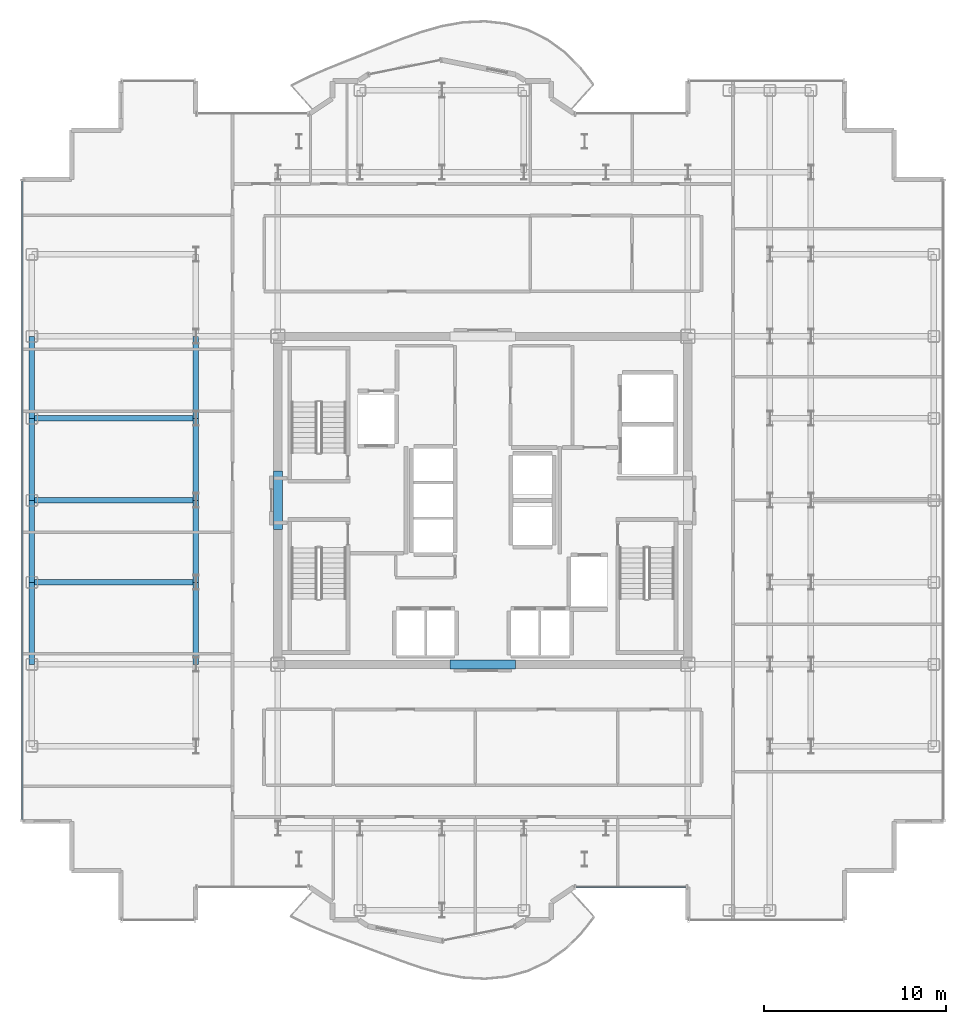
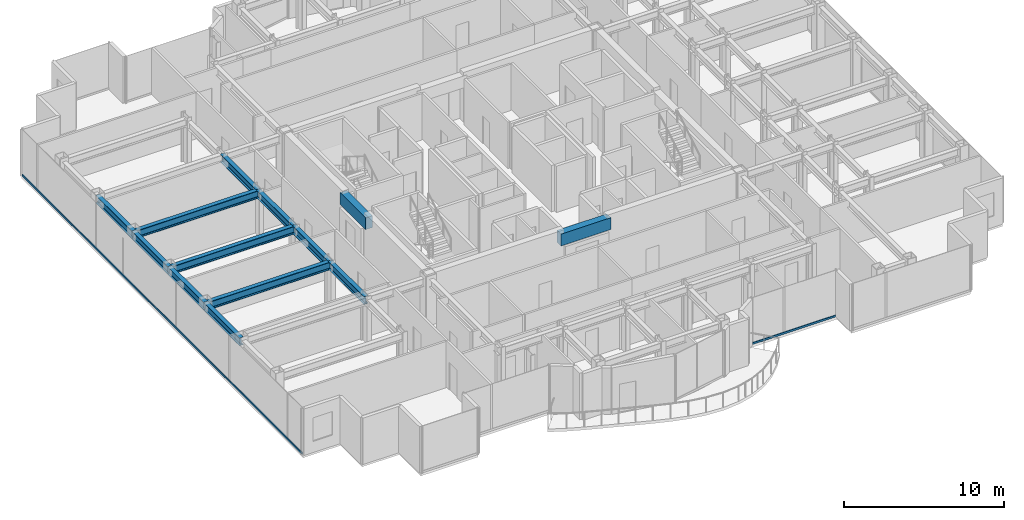
# One storey, part 4 of 21: 13 beams, 2 members, 2 elements without a shape of their own.
"""IFC4 building model written with IfcOpenShell, lengths in metres."""

from ifc_helpers import new_model, si_unit, direction, frame, origin, origin_2d, place, context, subcontext, project, spatial, rectangle, hollow_rectangle, i_section, extrude, source, transform, mapped, material, layer, layer_set, material_profile, profile_set, type_object, element, aggregate, save


model = new_model("IFC4")

# Units and contexts
model_context = context("Model", 3, precision=1e-05, world=origin(), true_north=direction((0.0, 1.0)))
body_context = subcontext(model_context, "Body", "Model", "MODEL_VIEW")
ifc_project = project(units=[si_unit("LENGTHUNIT", "METRE"), si_unit("AREAUNIT", "SQUARE_METRE"), si_unit("VOLUMEUNIT", "CUBIC_METRE"), si_unit("PLANEANGLEUNIT", "RADIAN"), si_unit("MASSUNIT", "GRAM", prefix="KILO")], contexts=[model_context])

# Site, building, storey
site_placement = place(None, origin())
site = spatial("IfcSite", under=ifc_project, at=site_placement, CompositionType="ELEMENT")
building_placement = place(site_placement, origin())
building = spatial("IfcBuilding", under=site, at=building_placement, Name="Nefas-Gora Pilgrimage Tower", CompositionType="ELEMENT")
storey_placement = place(building_placement, frame((0.0, 0.0, 210.39990234375)))
storey = spatial("IfcBuildingStorey", under=building, at=storey_placement, Name="L52", CompositionType="ELEMENT", Elevation=210.39990234375)

# Beams
ifc_material_1 = material(Name="Concrete C50/60", Category="concrete")
ifc_material_profile_1 = material_profile(ifc_material_1, rectangle(XDim=0.5, YDim=0.89990234375, at=origin_2d()), Name="RC 500x900")
ifc_profile_set_1 = profile_set([ifc_material_profile_1], Name="Concrete C50/60")
beam_type_1 = type_object("IfcBeamType", Name="BM-LIN-RC900", PredefinedType="LINTEL", material=ifc_profile_set_1)
shared_shape_1 = source(origin(), body_context, "Body", "SweptSolid", [
    extrude(rectangle(XDim=0.5, YDim=0.89990234375, at=origin_2d()), origin(), (0.0, 0.0, 1.0), 3.60009765625),
])
beam_1_placement = place(storey_placement, frame((-1.800048828125, -9.0, 3.10009765625), z_axis=(1.0, 0.0, 0.0), x_axis=(0.0, 1.0, 0.0)))
element("IfcBeam", 1, at=beam_1_placement, inside=storey, type_object=beam_type_1, Name="L52 Core Coupling Lintel Beam S", PredefinedType="LINTEL", context=body_context, shape_type="MappedRepresentation", body=[
    mapped(shared_shape_1, transform((0.0, 0.0, 0.0), x_axis=(1.0, 0.0, 0.0), y_axis=(0.0, 1.0, 0.0), z_axis=(0.0, 0.0, 1.0), scale=1.0)),
])
shared_shape_2 = source(origin(), body_context, "Body", "SweptSolid", [
    extrude(rectangle(XDim=0.5, YDim=0.89990234375, at=origin_2d()), origin(), (0.0, 0.0, 1.0), 3.2001953125),
])
beam_2_placement = place(storey_placement, frame((-11.25, -1.60009765625, 3.10009765625), z_axis=(0.0, 1.0, 0.0), x_axis=(-1.0, 0.0, 0.0)))
element("IfcBeam", 2, at=beam_2_placement, inside=storey, type_object=beam_type_1, Name="L52 Core Coupling Lintel Beam W", PredefinedType="LINTEL", context=body_context, shape_type="MappedRepresentation", body=[
    mapped(shared_shape_2, transform((0.0, 0.0, 0.0), x_axis=(1.0, 0.0, 0.0), y_axis=(0.0, 1.0, 0.0), z_axis=(0.0, 0.0, 1.0), scale=1.0)),
])
ifc_material_2 = material(Name="Steel S355", Category="steel")
ifc_material_profile_2 = material_profile(ifc_material_2, i_section(OverallWidth=0.300048828125, OverallDepth=0.60009765625, WebThickness=0.015380859375, FlangeThickness=0.030029296875, FilletRadius=0.027099609375, at=origin_2d()), Name="HEB 600")
ifc_profile_set_2 = profile_set([ifc_material_profile_2], Name="Steel S355")
beam_type_2 = type_object("IfcBeamType", Name="BM-SPN-HEB450", PredefinedType="SPANDREL", material=ifc_profile_set_2)
shared_shape_3 = source(origin(), body_context, "Body", "SweptSolid", [
    extrude(i_section(OverallWidth=0.300048828125, OverallDepth=0.60009765625, WebThickness=0.015380859375, FlangeThickness=0.030029296875, FilletRadius=0.027099609375, at=origin_2d()), origin(), (0.0, 0.0, 1.0), 4.5),
])
for number, where, z_axis, x_axis, name in (
    (3, (-24.75, -9.0, 3.25), (0.0, 1.0, 0.0), (-1.0, 0.0, 0.0), "L52 SP-03 beam"),
    (4, (-24.75, -4.5, 3.25), (0.0, 1.0, 0.0), (-1.0, 0.0, 0.0), "L52 SP-03 beam"),
    (5, (-24.75, 0.0, 3.25), (0.0, 1.0, 0.0), (-1.0, 0.0, 0.0), "L52 SP-03 beam"),
    (6, (-24.75, 4.5, 3.25), (0.0, 1.0, 0.0), (-1.0, 0.0, 0.0), "L52 SP-03 beam"),
):
    element("IfcBeam", number, at=place(storey_placement, frame(where, z_axis=z_axis, x_axis=x_axis)), inside=storey, type_object=beam_type_2, Name=name, PredefinedType="SPANDREL", context=body_context, shape_type="MappedRepresentation", body=[
        mapped(shared_shape_3, transform((0.0, 0.0, 0.0), x_axis=(1.0, 0.0, 0.0), y_axis=(0.0, 1.0, 0.0), z_axis=(0.0, 0.0, 1.0), scale=1.0)),
    ])
ifc_material_profile_3 = material_profile(ifc_material_2, i_section(OverallWidth=0.300048828125, OverallDepth=0.60009765625, WebThickness=0.015380859375, FlangeThickness=0.030029296875, FilletRadius=0.027099609375, at=origin_2d()), Name="HEB 600")
ifc_profile_set_3 = profile_set([ifc_material_profile_3], Name="Steel S355")
beam_type_3 = type_object("IfcBeamType", Name="BM-GIR-HEB600", PredefinedType="BEAM", material=ifc_profile_set_3)
shared_shape_4 = source(origin(), body_context, "Body", "SweptSolid", [
    extrude(i_section(OverallWidth=0.300048828125, OverallDepth=0.60009765625, WebThickness=0.015380859375, FlangeThickness=0.030029296875, FilletRadius=0.027099609375, at=origin_2d()), origin(), (0.0, 0.0, 1.0), 9.0),
])
for number, where, z_axis, x_axis, name in (
    (7, (-24.75, -4.5, 3.25), (1.0, 0.0, 0.0), (0.0, 1.0, 0.0), "L52 G-04 beam"),
    (8, (-24.75, 0.0, 3.25), (1.0, 0.0, 0.0), (0.0, 1.0, 0.0), "L52 G-04 beam"),
    (9, (-24.75, 4.5, 3.25), (1.0, 0.0, 0.0), (0.0, 1.0, 0.0), "L52 G-04 beam"),
):
    element("IfcBeam", number, at=place(storey_placement, frame(where, z_axis=z_axis, x_axis=x_axis)), inside=storey, type_object=beam_type_3, Name=name, PredefinedType="BEAM", context=body_context, shape_type="MappedRepresentation", body=[
        mapped(shared_shape_4, transform((0.0, 0.0, 0.0), x_axis=(1.0, 0.0, 0.0), y_axis=(0.0, 1.0, 0.0), z_axis=(0.0, 0.0, 1.0), scale=1.0)),
    ])
shared_shape_5 = source(origin(), body_context, "Body", "SweptSolid", [
    extrude(i_section(OverallWidth=0.300048828125, OverallDepth=0.60009765625, WebThickness=0.015380859375, FlangeThickness=0.030029296875, FilletRadius=0.027099609375, at=origin_2d()), origin(), (0.0, 0.0, 1.0), 4.5),
])
for number, where, z_axis, x_axis, name in (
    (10, (-15.75, -9.0, 3.25), (0.0, 1.0, 0.0), (-1.0, 0.0, 0.0), "L52 G-04 beam"),
    (11, (-15.75, -4.5, 3.25), (0.0, 1.0, 0.0), (-1.0, 0.0, 0.0), "L52 G-04 beam"),
    (12, (-15.75, 0.0, 3.25), (0.0, 1.0, 0.0), (-1.0, 0.0, 0.0), "L52 G-04 beam"),
    (13, (-15.75, 4.5, 3.25), (0.0, 1.0, 0.0), (-1.0, 0.0, 0.0), "L52 G-04 beam"),
):
    element("IfcBeam", number, at=place(storey_placement, frame(where, z_axis=z_axis, x_axis=x_axis)), inside=storey, type_object=beam_type_3, Name=name, PredefinedType="BEAM", context=body_context, shape_type="MappedRepresentation", body=[
        mapped(shared_shape_5, transform((0.0, 0.0, 0.0), x_axis=(1.0, 0.0, 0.0), y_axis=(0.0, 1.0, 0.0), z_axis=(0.0, 0.0, 1.0), scale=1.0)),
    ])

# Curtain wall, member
ifc_material_3 = material(Name="Dark ceramic-fritted solar-control aluminium-glass curtain wall", Category="aluminium")
ifc_layer_1 = layer(ifc_material_3, 0.219970703125)
ifc_layer_set_1 = layer_set([ifc_layer_1], Name="Dark ceramic-fritted solar-control aluminium-glass curtain wall")
curtain_wall_type_1 = type_object("IfcCurtainWallType", Name="CW-SYS-5", PredefinedType="NOTDEFINED", material=ifc_layer_set_1)
curtain_wall_1_placement = place(storey_placement, origin())
curtain_wall_1 = element("IfcCurtainWall", 14, at=curtain_wall_1_placement, inside=storey, type_object=curtain_wall_type_1, Name="L52 Unitised Curtain Wall CW5", PredefinedType="NOTDEFINED")
ifc_material_4 = material(Name="Anodised architectural aluminium", Category="aluminium")
ifc_material_profile_4 = material_profile(ifc_material_4, hollow_rectangle(XDim=0.080078125, YDim=0.159912109375, WallThickness=0.00439453125, InnerFilletRadius=0.00439453125, OuterFilletRadius=0.009033203125, at=origin_2d()), Name="ALU TRANSOM 80x160")
ifc_profile_set_4 = profile_set([ifc_material_profile_4], Name="Anodised architectural aluminium")
member_type_1 = type_object("IfcMemberType", Name="CWM-TRN-5", PredefinedType="USERDEFINED", material=ifc_profile_set_4)
shared_shape_6 = source(origin(), body_context, "Body", "SweptSolid", [
    extrude(hollow_rectangle(XDim=0.080078125, YDim=0.159912109375, WallThickness=0.00439453125, InnerFilletRadius=0.00439453125, OuterFilletRadius=0.009033203125, at=origin_2d()), origin(), (0.0, 0.0, 1.0), 6.052001953125),
])
member_1_placement = place(storey_placement, frame((5.10791015625, -21.219970703125, 0.050048828125), z_axis=(1.0, 0.0, 0.0), x_axis=(0.0, 1.0, 0.0)))
member_1 = element("IfcMember", 15, at=member_1_placement, type_object=member_type_1, Name="CW5 Spandrel Transom", ObjectType="TRANSOM", PredefinedType="USERDEFINED", context=body_context, shape_type="MappedRepresentation", body=[
    mapped(shared_shape_6, transform((0.0, 0.0, 0.0), x_axis=(1.0, 0.0, 0.0), y_axis=(0.0, 1.0, 0.0), z_axis=(0.0, 0.0, 1.0), scale=1.0)),
])
aggregate(curtain_wall_1, [member_1])

ifc_layer_2 = layer(ifc_material_3, 0.219970703125)
ifc_layer_set_2 = layer_set([ifc_layer_2], Name="Dark ceramic-fritted solar-control aluminium-glass curtain wall")
curtain_wall_type_2 = type_object("IfcCurtainWallType", Name="CW-SYS-3", PredefinedType="NOTDEFINED", material=ifc_layer_set_2)
curtain_wall_2_placement = place(storey_placement, origin())
curtain_wall_2 = element("IfcCurtainWall", 16, at=curtain_wall_2_placement, inside=storey, type_object=curtain_wall_type_2, Name="L52 Unitised Curtain Wall CW3", PredefinedType="NOTDEFINED")
ifc_material_profile_5 = material_profile(ifc_material_4, hollow_rectangle(XDim=0.080078125, YDim=0.159912109375, WallThickness=0.00439453125, InnerFilletRadius=0.00439453125, OuterFilletRadius=0.009033203125, at=origin_2d()), Name="ALU TRANSOM 80x160")
ifc_profile_set_5 = profile_set([ifc_material_profile_5], Name="Anodised architectural aluminium")
member_type_2 = type_object("IfcMemberType", Name="CWM-TRN-3", PredefinedType="USERDEFINED", material=ifc_profile_set_5)
shared_shape_7 = source(origin(), body_context, "Body", "SweptSolid", [
    extrude(hollow_rectangle(XDim=0.080078125, YDim=0.159912109375, WallThickness=0.00439453125, InnerFilletRadius=0.00439453125, OuterFilletRadius=0.009033203125, at=origin_2d()), origin(), (0.0, 0.0, 1.0), 35.06005859375),
])
member_2_placement = place(storey_placement, frame((-25.27001953125, 17.530029296875, 0.050048828125), z_axis=(0.0, -1.0, 0.0), x_axis=(1.0, 0.0, 0.0)))
member_2 = element("IfcMember", 17, at=member_2_placement, type_object=member_type_2, Name="CW3 Spandrel Transom", ObjectType="TRANSOM", PredefinedType="USERDEFINED", context=body_context, shape_type="MappedRepresentation", body=[
    mapped(shared_shape_7, transform((0.0, 0.0, 0.0), x_axis=(1.0, 0.0, 0.0), y_axis=(0.0, 1.0, 0.0), z_axis=(0.0, 0.0, 1.0), scale=1.0)),
])
aggregate(curtain_wall_2, [member_2])

save(model, "model.ifc")
